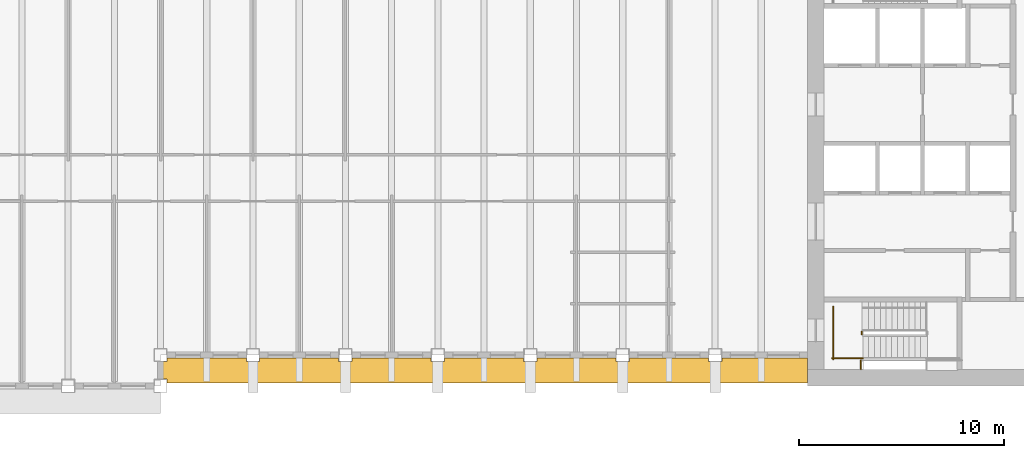
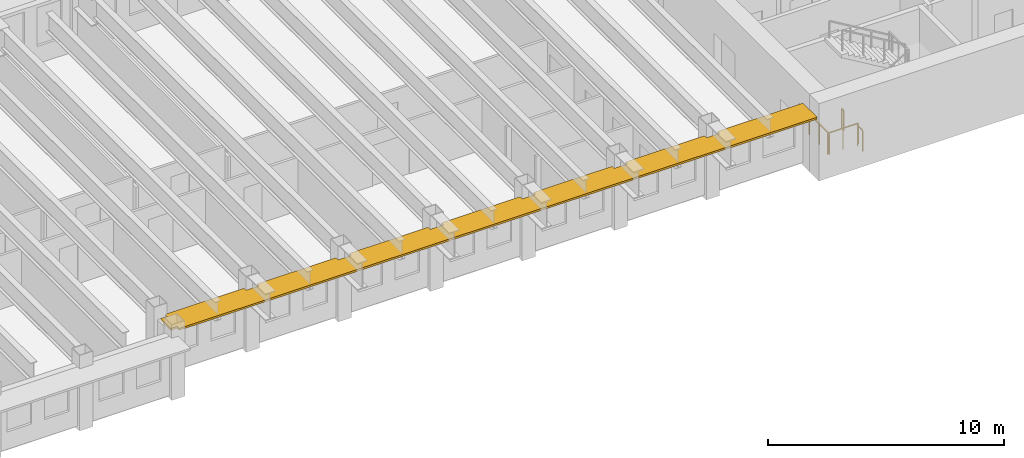
# One storey, part 9 of 12: 4 railings, 1 shading device.
"""IFC4 building model written with IfcOpenShell, lengths in metres."""

from ifc_helpers import new_model, si_unit, direction, frame, origin, origin_2d, place, context, subcontext, project, spatial, polyline, rectangle, outline, extrude, material, layer, layer_set, type_object, element, save


model = new_model("IFC4")

# Units and contexts
model_context = context("Model", 3, precision=1e-05, world=origin(), true_north=direction((0.0, 1.0)))
body_context = subcontext(model_context, "Body", "Model", "MODEL_VIEW")
ifc_project = project(units=[si_unit("LENGTHUNIT", "METRE"), si_unit("AREAUNIT", "SQUARE_METRE"), si_unit("VOLUMEUNIT", "CUBIC_METRE"), si_unit("PLANEANGLEUNIT", "RADIAN"), si_unit("MASSUNIT", "GRAM", prefix="KILO")], contexts=[model_context])

# Site, building, storey
site_placement = place(None, origin())
site = spatial("IfcSite", under=ifc_project, at=site_placement, CompositionType="ELEMENT")
building_placement = place(site_placement, origin())
building = spatial("IfcBuilding", under=site, at=building_placement, Name="Sennacour Bend Tower", CompositionType="ELEMENT")
storey_placement = place(building_placement, frame((0.0, 0.0, 293.0)))
storey = spatial("IfcBuildingStorey", under=building, at=storey_placement, Name="L68", CompositionType="ELEMENT", Elevation=293.0)

# Railings
ifc_material_1 = material(Name="Stainless steel", Category="steel")
railing_type = type_object("IfcRailingType", Name="RL-GUARD-1100", PredefinedType="GUARDRAIL", material=ifc_material_1)
railing_1_placement = place(storey_placement, frame((56.64990234375, 2.5, 0.0)))
element("IfcRailing", 1, at=railing_1_placement, inside=storey, type_object=railing_type, Name="L68 SA1 stair guard 5", PredefinedType="GUARDRAIL", context=body_context, shape_type="SweptSolid", body=[
    extrude(rectangle(XDim=0.048095703125, YDim=0.048095703125, at=origin_2d()), frame((0.0, 0.0, 1.076171875), z_axis=(0.0, 1.0, 0.0), x_axis=(-1.0, 0.0, 0.0)), (0.0, 0.0, 1.0), 0.14990234375),
    extrude(rectangle(XDim=0.0419921875, YDim=0.0419921875, at=origin_2d()), origin(), (0.0, 0.0, 1.0), 1.052001953125),
    extrude(rectangle(XDim=0.0419921875, YDim=0.0419921875, at=origin_2d()), frame((0.0, 0.14990234375, 0.0)), (0.0, 0.0, 1.0), 1.052001953125),
])
railing_2_placement = place(storey_placement, frame((55.199951171875, 1.35009765625, 0.0)))
element("IfcRailing", 2, at=railing_2_placement, inside=storey, type_object=railing_type, Name="L68 SA1 stair guard 6", PredefinedType="GUARDRAIL", context=body_context, shape_type="SweptSolid", body=[
    extrude(rectangle(XDim=0.048095703125, YDim=0.048095703125, at=origin_2d()), frame((0.0, 0.0, 1.076171875), z_axis=(1.0, 0.0, 0.0), x_axis=(0.0, 1.0, 0.0)), (0.0, 0.0, 1.0), 1.5),
    extrude(rectangle(XDim=0.0419921875, YDim=0.0419921875, at=origin_2d()), origin(), (0.0, 0.0, 1.0), 1.052001953125),
    extrude(rectangle(XDim=0.0419921875, YDim=0.0419921875, at=origin_2d()), frame((0.75, 0.0, 0.0)), (0.0, 0.0, 1.0), 1.052001953125),
    extrude(rectangle(XDim=0.0419921875, YDim=0.0419921875, at=origin_2d()), frame((1.5, 0.0, 0.0)), (0.0, 0.0, 1.0), 1.052001953125),
])
railing_3_placement = place(storey_placement, frame((55.25, 1.300048828125, 0.0)))
element("IfcRailing", 3, at=railing_3_placement, inside=storey, type_object=railing_type, Name="L68 SA1 stair guard 7", PredefinedType="GUARDRAIL", context=body_context, shape_type="SweptSolid", body=[
    extrude(rectangle(XDim=0.048095703125, YDim=0.048095703125, at=origin_2d()), frame((0.0, 0.0, 1.076171875), z_axis=(0.0, 1.0, 0.0), x_axis=(-1.0, 0.0, 0.0)), (0.0, 0.0, 1.0), 2.550048828125),
    extrude(rectangle(XDim=0.0419921875, YDim=0.0419921875, at=origin_2d()), origin(), (0.0, 0.0, 1.0), 1.052001953125),
    extrude(rectangle(XDim=0.0419921875, YDim=0.0419921875, at=origin_2d()), frame((0.0, 0.85009765625, 0.0)), (0.0, 0.0, 1.0), 1.052001953125),
    extrude(rectangle(XDim=0.0419921875, YDim=0.0419921875, at=origin_2d()), frame((0.0, 1.699951171875, 0.0)), (0.0, 0.0, 1.0), 1.052001953125),
    extrude(rectangle(XDim=0.0419921875, YDim=0.0419921875, at=origin_2d()), frame((0.0, 2.550048828125, 0.0)), (0.0, 0.0, 1.0), 1.052001953125),
])
railing_4_placement = place(storey_placement, frame((56.60009765625, 1.25, 0.0)))
element("IfcRailing", 4, at=railing_4_placement, inside=storey, type_object=railing_type, Name="L68 SA1 landing edge guard 155", PredefinedType="GUARDRAIL", context=body_context, shape_type="SweptSolid", body=[
    extrude(rectangle(XDim=0.048095703125, YDim=0.048095703125, at=origin_2d()), frame((0.0, 0.0, 1.076171875), z_axis=(0.0, -1.0, 0.0), x_axis=(1.0, 0.0, 0.0)), (0.0, 0.0, 1.0), 0.449951171875),
    extrude(rectangle(XDim=0.0419921875, YDim=0.0419921875, at=origin_2d()), origin(), (0.0, 0.0, 1.0), 1.052001953125),
    extrude(rectangle(XDim=0.0419921875, YDim=0.0419921875, at=origin_2d()), frame((0.0, -0.449951171875, 0.0)), (0.0, 0.0, 1.0), 1.052001953125),
])

# Shading device
ifc_material_2 = material(Name="Bronze anodised aluminium", Category="aluminium")
ifc_layer = layer(ifc_material_2, 0.10009765625, Name="Bronze anodised aluminium", Category="aluminium")
ifc_layer_set = layer_set([ifc_layer], Name="Bronze anodised aluminium")
shading_device_type = type_object("IfcShadingDeviceType", Name="SUNSHADE BAND STRAIGHT", PredefinedType="USERDEFINED", material=ifc_layer_set)
shading_device_placement = place(storey_placement, frame((0.0, 0.0, 2.9619140625)))
element("IfcShadingDevice", 5, at=shading_device_placement, inside=storey, type_object=shading_device_type, Name="Sunshade band L68 A outer face", ObjectType="SUNSHADE", PredefinedType="USERDEFINED", context=body_context, shape_type="SweptSolid", body=[
    extrude(outline(polyline([(26.675048828125, 1.35009765625), (26.675048828125, 1.175048828125), (27.324951171875, 1.175048828125), (27.324951171875, 1.35009765625), (31.175048828125, 1.35009765625), (31.175048828125, 1.175048828125), (31.824951171875, 1.175048828125), (31.824951171875, 1.35009765625), (35.675048828125, 1.35009765625), (35.675048828125, 1.175048828125), (36.324951171875, 1.175048828125), (36.324951171875, 1.35009765625), (40.175048828125, 1.35009765625), (40.175048828125, 1.175048828125), (40.824951171875, 1.175048828125), (40.824951171875, 1.35009765625), (44.675048828125, 1.35009765625), (44.675048828125, 1.175048828125), (45.324951171875, 1.175048828125), (45.324951171875, 1.35009765625), (49.175048828125, 1.35009765625), (49.175048828125, 1.175048828125), (49.824951171875, 1.175048828125), (49.824951171875, 1.35009765625), (54.0, 1.35009765625), (54.0, 0.14990234375), (22.824951171875, 0.14990234375), (22.824951171875, 0.324951171875), (22.5, 0.324951171875), (22.5, 1.175048828125), (22.824951171875, 1.175048828125), (22.824951171875, 1.35009765625), (26.675048828125, 1.35009765625)])), origin(), (0.0, 0.0, 1.0), 0.10009765625),
])

save(model, "model.ifc")
